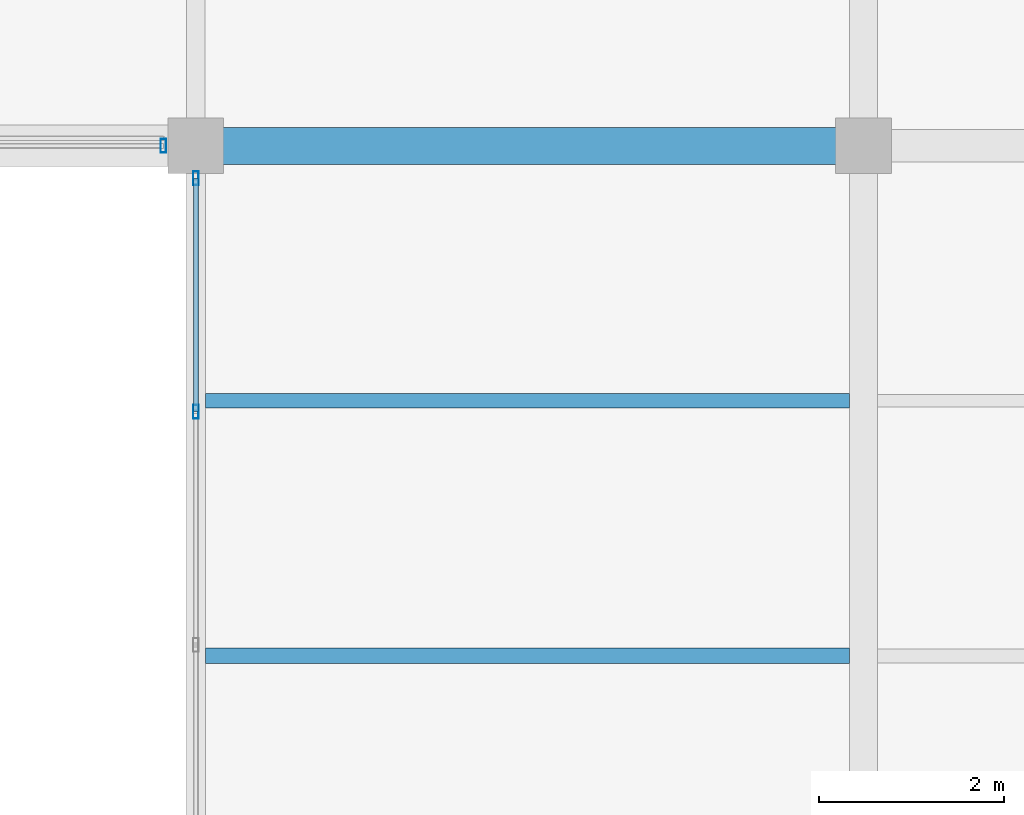
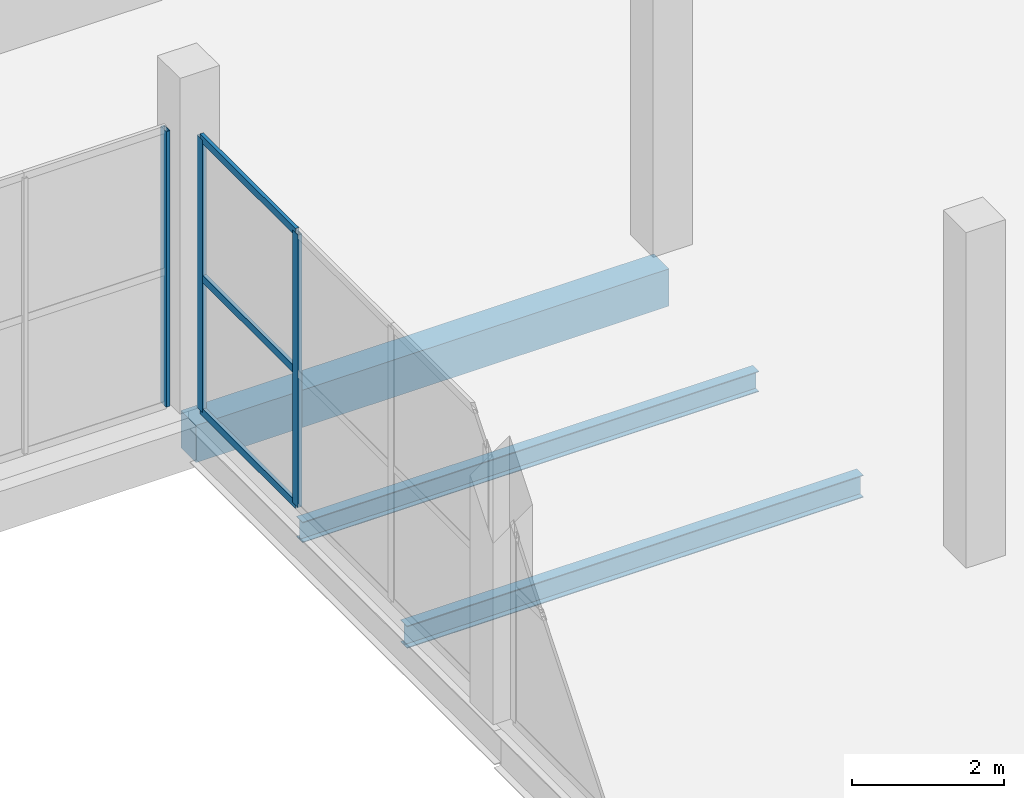
# One storey, part 98 of 141: 6 members, 3 beams, 2 elements without a shape of their own.
"""IFC4 building model written with IfcOpenShell, lengths in metres."""

from ifc_helpers import new_model, si_unit, direction, frame, origin, origin_2d, place, context, subcontext, project, spatial, rectangle, hollow_rectangle, i_section, extrude, material, layer, layer_set, material_profile, profile_set, type_object, element, aggregate, save


model = new_model("IFC4")

# Units and contexts
model_context = context("Model", 3, precision=1e-05, world=origin(), true_north=direction((0.0, 1.0)))
body_context = subcontext(model_context, "Body", "Model", "MODEL_VIEW")
ifc_project = project(units=[si_unit("LENGTHUNIT", "METRE"), si_unit("AREAUNIT", "SQUARE_METRE"), si_unit("VOLUMEUNIT", "CUBIC_METRE"), si_unit("PLANEANGLEUNIT", "RADIAN"), si_unit("MASSUNIT", "GRAM", prefix="KILO")], contexts=[model_context])

# Site, building, storey
site_placement = place(None, origin())
site = spatial("IfcSite", under=ifc_project, at=site_placement, CompositionType="ELEMENT")
building_placement = place(site_placement, origin())
building = spatial("IfcBuilding", under=site, at=building_placement, Name="Sundgate Opera House", CompositionType="ELEMENT")
storey_placement = place(building_placement, frame((0.0, 0.0, 11.39990234375)))
storey = spatial("IfcBuildingStorey", under=building, at=storey_placement, Name="L02", CompositionType="ELEMENT", Elevation=11.39990234375)

# Beams
ifc_material_1 = material(Name="Steel S355J2", Category="steel")
ifc_material_profile_1 = material_profile(ifc_material_1, i_section(OverallWidth=0.159912109375, OverallDepth=0.330078125, WebThickness=0.007568359375, FlangeThickness=0.011474609375, at=origin_2d()), Name="IPE 330")
ifc_profile_set_1 = profile_set([ifc_material_profile_1], Name="Steel S355J2")
beam_type_1 = type_object("IfcBeamType", Name="BM-JS-IPE330", PredefinedType="JOIST", material=ifc_profile_set_1)
beam_1_placement = place(storey_placement, frame((153.10498046875, 109.0, -0.514892578125), z_axis=(1.0, 0.0, 0.0), x_axis=(0.0, 1.0, 0.0)))
element("IfcBeam", 1, at=beam_1_placement, inside=storey, type_object=beam_type_1, Name="L02 Secondary Floor Joist B2412", PredefinedType="JOIST", context=body_context, shape_type="SweptSolid", body=[
    extrude(i_section(OverallWidth=0.159912109375, OverallDepth=0.330078125, WebThickness=0.007568359375, FlangeThickness=0.011474609375, at=origin_2d()), origin(), (0.0, 0.0, 1.0), 6.945068359375),
])
ifc_material_2 = material(Name="Steel S355J2", Category="steel")
ifc_material_profile_2 = material_profile(ifc_material_2, i_section(OverallWidth=0.169921875, OverallDepth=0.360107421875, WebThickness=0.008056640625, FlangeThickness=0.0126953125, at=origin_2d()), Name="IPE 360")
ifc_profile_set_2 = profile_set([ifc_material_profile_2], Name="Steel S355J2")
beam_type_2 = type_object("IfcBeamType", Name="BM-JS-IPE360", PredefinedType="JOIST", material=ifc_profile_set_2)
beam_2_placement = place(storey_placement, frame((153.10498046875, 106.25, -0.52978515625), z_axis=(1.0, 0.0, 0.0), x_axis=(0.0, 1.0, 0.0)))
element("IfcBeam", 2, at=beam_2_placement, inside=storey, type_object=beam_type_2, Name="L02 Secondary Floor Joist B2411", PredefinedType="JOIST", context=body_context, shape_type="SweptSolid", body=[
    extrude(i_section(OverallWidth=0.169921875, OverallDepth=0.360107421875, WebThickness=0.008056640625, FlangeThickness=0.0126953125, at=origin_2d()), origin(), (0.0, 0.0, 1.0), 6.945068359375),
])
ifc_material_3 = material(Name="Concrete C35/45", Category="concrete")
ifc_material_profile_3 = material_profile(ifc_material_3, rectangle(XDim=0.39990234375, YDim=0.60009765625, at=origin_2d()), Name="RC 400x600")
ifc_profile_set_3 = profile_set([ifc_material_profile_3], Name="Concrete C35/45")
beam_type_3 = type_object("IfcBeamType", Name="BM-RC-400x600", PredefinedType="BEAM", material=ifc_profile_set_3)
beam_3_placement = place(storey_placement, frame((153.0, 111.75, -0.64990234375), z_axis=(1.0, 0.0, 0.0), x_axis=(0.0, 1.0, 0.0)))
element("IfcBeam", 3, at=beam_3_placement, inside=storey, type_object=beam_type_3, Name="L02 Primary E-W Girder B2111", PredefinedType="BEAM", context=body_context, shape_type="SweptSolid", body=[
    extrude(rectangle(XDim=0.39990234375, YDim=0.60009765625, at=origin_2d()), origin(), (0.0, 0.0, 1.0), 7.199951171875),
])

# Curtain wall, member
ifc_material_4 = material(Name="Anodized aluminium and low-iron glass", Category="aluminium")
ifc_layer = layer(ifc_material_4, 0.159912109375)
ifc_layer_set = layer_set([ifc_layer], Name="Anodized aluminium and low-iron glass")
curtain_wall_type = type_object("IfcCurtainWallType", Name="CW-STUDIO-DARK", PredefinedType="NOTDEFINED", material=ifc_layer_set)
curtain_wall_1_placement = place(storey_placement, origin())
curtain_wall_1 = element("IfcCurtainWall", 4, at=curtain_wall_1_placement, inside=storey, type_object=curtain_wall_type, Name="L02 Curtain Wall CW115", PredefinedType="NOTDEFINED")
ifc_material_5 = material(Name="Anodized aluminium EN AW-6063", Category="aluminium")
ifc_material_profile_4 = material_profile(ifc_material_5, hollow_rectangle(XDim=0.06005859375, YDim=0.14990234375, WallThickness=0.00390625, at=origin_2d()), Name="CWM 150x60x4")
ifc_profile_set_4 = profile_set([ifc_material_profile_4], Name="Anodized aluminium EN AW-6063")
member_type_1 = type_object("IfcMemberType", Name="CWM-ALU-150x60", PredefinedType="MULLION", material=ifc_profile_set_4)
member_1_placement = place(storey_placement, frame((152.64990234375, 111.75, 0.0), z_axis=(0.0, 0.0, 1.0), x_axis=(1.0, 0.0, 0.0)))
member_1 = element("IfcMember", 5, at=member_1_placement, type_object=member_type_1, Name="CW115 Mullion 1", PredefinedType="MULLION", context=body_context, shape_type="SweptSolid", body=[
    extrude(hollow_rectangle(XDim=0.06005859375, YDim=0.14990234375, WallThickness=0.00390625, at=origin_2d()), origin(), (0.0, 0.0, 1.0), 4.43505859375),
])
aggregate(curtain_wall_1, [member_1])

# Curtain wall, members
curtain_wall_2_placement = place(storey_placement, origin())
curtain_wall_2 = element("IfcCurtainWall", 6, at=curtain_wall_2_placement, inside=storey, type_object=curtain_wall_type, Name="L02 Curtain Wall CW121", PredefinedType="NOTDEFINED")
member_2_placement = place(storey_placement, frame((153.0, 111.39990234375, 0.0), z_axis=(0.0, 0.0, 1.0), x_axis=(1.0, 0.0, 0.0)))
member_2 = element("IfcMember", 7, at=member_2_placement, type_object=member_type_1, Name="CW121 Mullion 1", PredefinedType="MULLION", context=body_context, shape_type="SweptSolid", body=[
    extrude(hollow_rectangle(XDim=0.06005859375, YDim=0.14990234375, WallThickness=0.00390625, at=origin_2d()), origin(), (0.0, 0.0, 1.0), 4.385009765625),
])
member_3_placement = place(storey_placement, frame((153.0, 108.88330078125, 0.0), z_axis=(0.0, 0.0, 1.0), x_axis=(1.0, 0.0, 0.0)))
member_3 = element("IfcMember", 8, at=member_3_placement, type_object=member_type_1, Name="CW121 Mullion 2", PredefinedType="MULLION", context=body_context, shape_type="SweptSolid", body=[
    extrude(hollow_rectangle(XDim=0.06005859375, YDim=0.14990234375, WallThickness=0.00390625, at=origin_2d()), origin(), (0.0, 0.0, 1.0), 4.385009765625),
])
ifc_material_6 = material(Name="Anodized aluminium EN AW-6063", Category="aluminium")
ifc_material_profile_5 = material_profile(ifc_material_6, hollow_rectangle(XDim=0.054931640625, YDim=0.1201171875, WallThickness=0.00390625, at=origin_2d()), Name="CWT 120x55x4")
ifc_profile_set_5 = profile_set([ifc_material_profile_5], Name="Anodized aluminium EN AW-6063")
member_type_2 = type_object("IfcMemberType", Name="CWT-ALU-120x55", PredefinedType="USERDEFINED", material=ifc_profile_set_5)
member_4_placement = place(storey_placement, frame((153.0, 111.39990234375, 0.0), z_axis=(0.0, -1.0, 0.0), x_axis=(1.0, 0.0, 0.0)))
member_4 = element("IfcMember", 9, at=member_4_placement, type_object=member_type_2, Name="CW121 Transom 1", ObjectType="TRANSOM", PredefinedType="USERDEFINED", context=body_context, shape_type="SweptSolid", body=[
    extrude(hollow_rectangle(XDim=0.054931640625, YDim=0.1201171875, WallThickness=0.00390625, at=origin_2d()), origin(), (0.0, 0.0, 1.0), 2.5166015625),
])
member_5_placement = place(storey_placement, frame((153.0, 111.39990234375, 2.150146484375), z_axis=(0.0, -1.0, 0.0), x_axis=(1.0, 0.0, 0.0)))
member_5 = element("IfcMember", 10, at=member_5_placement, type_object=member_type_2, Name="CW121 Transom 2", ObjectType="TRANSOM", PredefinedType="USERDEFINED", context=body_context, shape_type="SweptSolid", body=[
    extrude(hollow_rectangle(XDim=0.054931640625, YDim=0.1201171875, WallThickness=0.00390625, at=origin_2d()), origin(), (0.0, 0.0, 1.0), 2.5166015625),
])
member_6_placement = place(storey_placement, frame((153.0, 111.39990234375, 4.385009765625), z_axis=(0.0, -1.0, 0.0), x_axis=(1.0, 0.0, 0.0)))
member_6 = element("IfcMember", 11, at=member_6_placement, type_object=member_type_2, Name="CW121 Transom 3", ObjectType="TRANSOM", PredefinedType="USERDEFINED", context=body_context, shape_type="SweptSolid", body=[
    extrude(hollow_rectangle(XDim=0.054931640625, YDim=0.1201171875, WallThickness=0.00390625, at=origin_2d()), origin(), (0.0, 0.0, 1.0), 2.5166015625),
])
aggregate(curtain_wall_2, [member_2, member_3, member_4, member_5, member_6])

save(model, "model.ifc")
